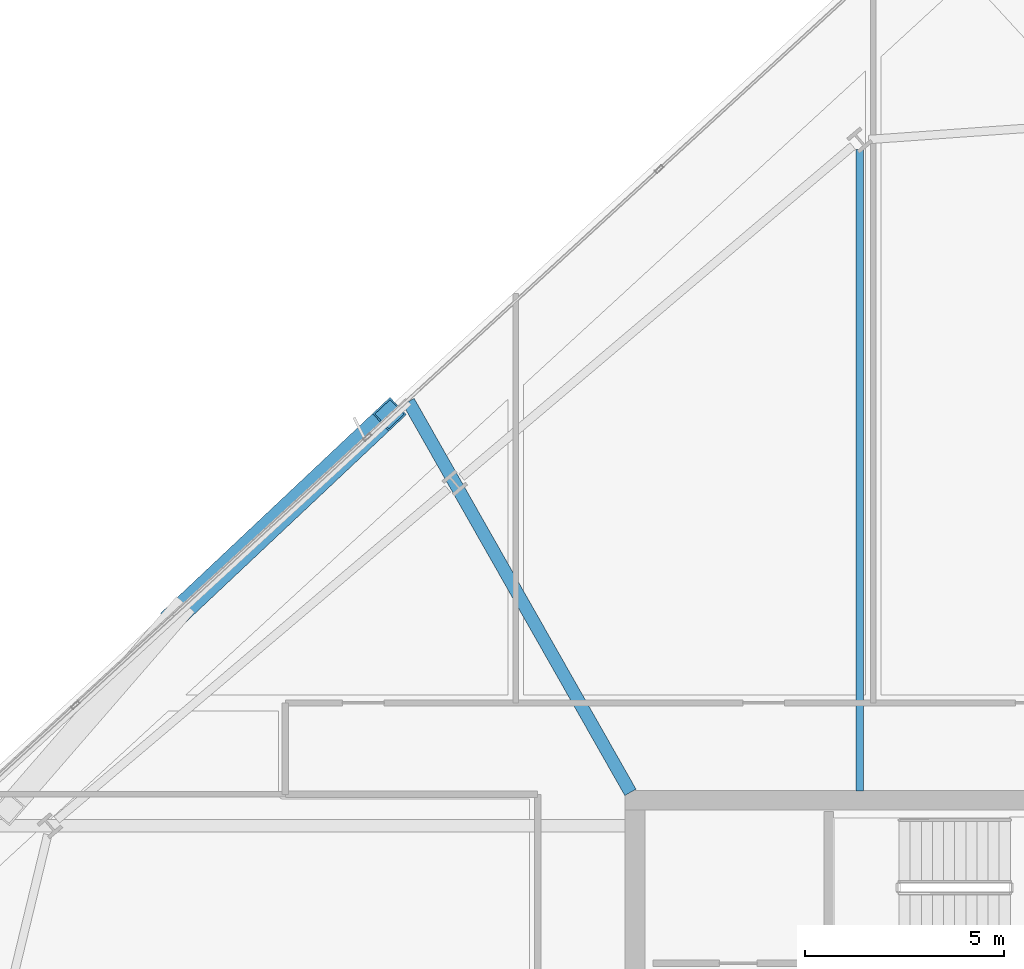
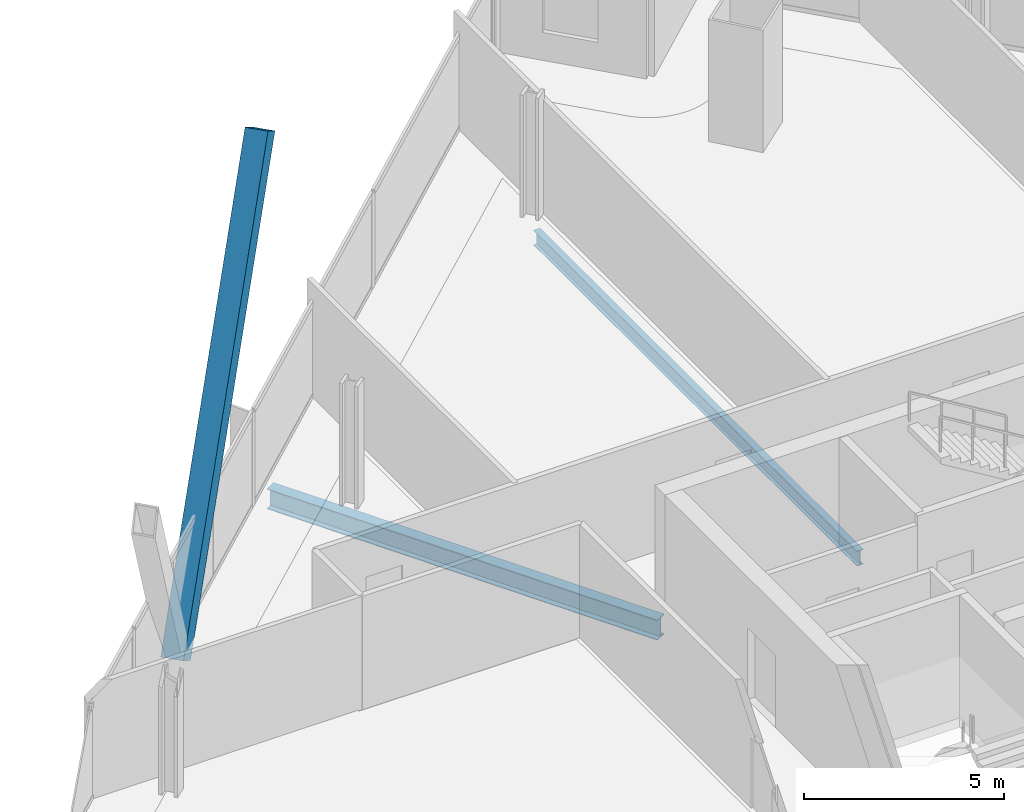
# One storey, part 16 of 32: 2 beams, 1 member.
"""IFC4 building model written with IfcOpenShell, lengths in metres."""

import ifcopenshell
import ifcopenshell.guid

model = None  # the IFC model being written
_history = None  # IfcOwnerHistory: only IFC2X3 demands one
_inside = {}  # id of a spatial element -> (the spatial element, [elements in it])
_under = {}  # id of a project, library or spatial element -> (it, [spatial elements below it])
_declared = {}  # id of a project -> (the project, [libraries it declares])
_typed = {}  # id of a type object -> (the type object, [elements of that type])
_made_of = {}  # id of a material, layer set ... -> (it, [elements and type objects made of it])


def new_model(schema):
    """Start an empty IFC model of exactly this schema.

    Asked for "IFC4X3", IfcOpenShell would pick the latest addendum, in which some entities
    have other attributes; the version numbers below select the first issue.
    IFC2X3 requires an IfcOwnerHistory on every rooted entity: one is made here for all.
    """
    global model, _history
    if schema == "IFC4X3":
        model = ifcopenshell.file(schema_version=(4, 3, 0, 0))
    else:
        model = ifcopenshell.file(schema=schema)
    _inside.clear()
    _under.clear()
    _declared.clear()
    _typed.clear()
    _made_of.clear()
    _history = None
    if model.schema == "IFC2X3":
        org = make("IfcOrganization", Name="unknown")
        user = make(
            "IfcPersonAndOrganization",
            ThePerson=make("IfcPerson", FamilyName="unknown"),
            TheOrganization=org,
        )
        app = make(
            "IfcApplication",
            ApplicationDeveloper=org,
            Version="unknown",
            ApplicationFullName="unknown",
            ApplicationIdentifier="unknown",
        )
        _history = make(
            "IfcOwnerHistory",
            OwningUser=user,
            OwningApplication=app,
            ChangeAction="ADDED",
            CreationDate=0,
        )
    return model


def make(cls, **values):
    """One entity of the class cls with the attributes given. An attribute that is None is left unset."""
    return model.create_entity(
        cls, **{name: value for name, value in values.items() if value is not None}
    )


def rooted(cls, **values):
    """An entity with a GlobalId (a new one), such as an element, a storey or a relation."""
    return make(cls, GlobalId=ifcopenshell.guid.new(), OwnerHistory=_history, **values)


def si_unit(unit_type, name, prefix=None):
    """IfcSIUnit, for example si_unit("LENGTHUNIT", "METRE", prefix="MILLI")."""
    return make("IfcSIUnit", UnitType=unit_type, Prefix=prefix, Name=name)


def assignment(units):
    """IfcUnitAssignment: the units of a project."""
    return None if units is None else make("IfcUnitAssignment", Units=units)


def point(xyz):
    """IfcCartesianPoint."""
    return None if xyz is None else make("IfcCartesianPoint", Coordinates=xyz)


def direction(xyz):
    """IfcDirection."""
    return None if xyz is None else make("IfcDirection", DirectionRatios=xyz)


def frame(location, z_axis=None, x_axis=None):
    """IfcAxis2Placement3D, a coordinate frame: its origin and axes. An axis left out is left unset."""
    return make(
        "IfcAxis2Placement3D",
        Location=point(location),
        Axis=direction(z_axis),
        RefDirection=direction(x_axis),
    )


def frame_2d(location, x_axis=None):
    """IfcAxis2Placement2D, a coordinate frame in the plane: its origin and x axis."""
    return make(
        "IfcAxis2Placement2D", Location=point(location), RefDirection=direction(x_axis)
    )


def origin():
    """The frame at (0, 0, 0) with its axes left unset."""
    return frame((0.0, 0.0, 0.0))


def origin_2d():
    """The frame at (0, 0) in the plane with its x axis left unset."""
    return frame_2d((0.0, 0.0))


def place(relative_to, where):
    """IfcLocalPlacement: puts the frame where relative to a parent placement (None: the world)."""
    return make(
        "IfcLocalPlacement", PlacementRelTo=relative_to, RelativePlacement=where
    )


def context(
    kind, dimensions, precision=None, world=None, true_north=None, identifier=None
):
    """IfcGeometricRepresentationContext, for example the 3D "Model" context."""
    return make(
        "IfcGeometricRepresentationContext",
        ContextIdentifier=identifier,
        ContextType=kind,
        CoordinateSpaceDimension=dimensions,
        Precision=precision,
        WorldCoordinateSystem=world,
        TrueNorth=true_north,
    )


def subcontext(parent, identifier, kind, view, scale=None):
    """IfcGeometricRepresentationSubContext, for example "Body" below "Model"."""
    return make(
        "IfcGeometricRepresentationSubContext",
        ContextIdentifier=identifier,
        ContextType=kind,
        ParentContext=parent,
        TargetScale=scale,
        TargetView=view,
    )


def project(units=None, contexts=None):
    """IfcProject with its units and contexts."""
    return rooted(
        "IfcProject",
        Name="project",
        RepresentationContexts=contexts,
        UnitsInContext=assignment(units),
    )


def spatial(cls, under=None, at=None, **own):
    """A site, building, storey or space (cls), placed at a placement, below another one or the project."""
    s = rooted(cls, ObjectPlacement=at, **own)
    if under is not None:
        _under.setdefault(under.id(), (under, []))[1].append(s)
    return s


def profile(cls, at=None, kind="AREA", **sizes):
    """A parametric profile (cls). Its sizes go by their IFC names, for example OverallWidth=200.0."""
    return make(cls, ProfileType=kind, Position=at, **sizes)


def hollow_rectangle(**sizes):
    """IfcRectangleHollowProfileDef."""
    return profile("IfcRectangleHollowProfileDef", **sizes)


def i_section(**sizes):
    """IfcIShapeProfileDef."""
    return profile("IfcIShapeProfileDef", **sizes)


def extrude(swept, where, along, depth):
    """IfcExtrudedAreaSolid: the profile swept, set in the frame where, extruded along a direction by depth."""
    return make(
        "IfcExtrudedAreaSolid",
        SweptArea=swept,
        Position=where,
        ExtrudedDirection=direction(along),
        Depth=depth,
    )


def shape(context_of_items, identifier, shape_type, items):
    """IfcShapeRepresentation: the items that make up one representation, for example the "Body"."""
    return make(
        "IfcShapeRepresentation",
        ContextOfItems=context_of_items,
        RepresentationIdentifier=identifier,
        RepresentationType=shape_type,
        Items=items,
    )


def material(Name=None, Category=None):
    """IfcMaterial."""
    return make("IfcMaterial", Name=Name, Category=Category)


def material_profile(
    of_material, cross_section, Name=None, Category=None, Priority=None
):
    """IfcMaterialProfile: a cross section and its material."""
    return make(
        "IfcMaterialProfile",
        Name=Name,
        Material=of_material,
        Profile=cross_section,
        Priority=Priority,
        Category=Category,
    )


def profile_set(profiles, Name=None, composite=None):
    """IfcMaterialProfileSet."""
    return make(
        "IfcMaterialProfileSet",
        Name=Name,
        MaterialProfiles=profiles,
        CompositeProfile=composite,
    )


def made_of(thing, what):
    """Note that an element or type object is made of a material, layer set ...; save() writes the relation."""
    if what is not None:
        _made_of.setdefault(what.id(), (what, []))[1].append(thing)
    return thing


def type_object(cls, material=None, **own):
    """A type object (cls), such as IfcWallType, which elements share."""
    return made_of(rooted(cls, **own), material)


def element(
    cls,
    number,
    at=None,
    inside=None,
    cuts=None,
    type_object=None,
    material=None,
    context=None,
    identifier="Body",
    shape_type=None,
    held_by="IfcProductDefinitionShape",
    body=None,
    shapes=None,
    **own,
):
    """One element of the class cls, such as IfcWall. Its Tag is "e" and its number.

    at: its placement. inside: the storey or other place that contains it. cuts: it is an
    opening in that element (IfcRelVoidsElement). A single representation is given by context,
    identifier, shape_type and body (its items); several are given by shapes. held_by: the class
    of the entity that holds the representations. save() writes the other relations.
    """
    e = rooted(cls, Tag="e%d" % number, ObjectPlacement=at, **own)
    if body is not None:
        shapes = [shape(context, identifier, shape_type, body)]
    if shapes is not None:
        e.Representation = make(held_by, Representations=shapes)
    if inside is not None:
        _inside.setdefault(inside.id(), (inside, []))[1].append(e)
    if cuts is not None:
        rooted(
            "IfcRelVoidsElement", RelatingBuildingElement=cuts, RelatedOpeningElement=e
        )
    if type_object is not None:
        _typed.setdefault(type_object.id(), (type_object, []))[1].append(e)
    return made_of(e, material)


def aggregate(whole, parts):
    """IfcRelAggregates: a whole, such as a stair, and the parts it consists of."""
    return rooted("IfcRelAggregates", RelatingObject=whole, RelatedObjects=parts)


def save(model, path):
    """Write the relations noted so far, then the file.

    IfcRelAggregates (storeys below a building ...), IfcRelContainedInSpatialStructure (elements
    in a storey), IfcRelDefinesByType, IfcRelAssociatesMaterial and IfcRelDeclares: one each for
    every whole, place, type object, material and project.
    """
    for whole, parts in _under.values():
        aggregate(whole, parts)
    for where, things in _inside.values():
        rooted(
            "IfcRelContainedInSpatialStructure",
            RelatedElements=things,
            RelatingStructure=where,
        )
    for kind, things in _typed.values():
        rooted("IfcRelDefinesByType", RelatedObjects=things, RelatingType=kind)
    for what, things in _made_of.values():
        rooted("IfcRelAssociatesMaterial", RelatedObjects=things, RelatingMaterial=what)
    for by, libraries in _declared.values():
        rooted("IfcRelDeclares", RelatingContext=by, RelatedDefinitions=libraries)
    model.write(path)


model = new_model("IFC4")

# Units and contexts
model_context = context("Model", 3, precision=1e-05, world=origin(), true_north=direction((0.0, 1.0)))
body_context = subcontext(model_context, "Body", "Model", "MODEL_VIEW")
ifc_project = project(units=[si_unit("LENGTHUNIT", "METRE"), si_unit("AREAUNIT", "SQUARE_METRE"), si_unit("VOLUMEUNIT", "CUBIC_METRE"), si_unit("PLANEANGLEUNIT", "RADIAN"), si_unit("MASSUNIT", "GRAM", prefix="KILO")], contexts=[model_context])

# Site, building, storey
site_placement = place(None, origin())
site = spatial("IfcSite", under=ifc_project, at=site_placement, CompositionType="ELEMENT")
building_placement = place(site_placement, origin())
building = spatial("IfcBuilding", under=site, at=building_placement, Name="Haldenkirk Collegiate Tower", CompositionType="ELEMENT")
storey_placement = place(building_placement, frame((0.0, 0.0, 170.699951171875)))
storey = spatial("IfcBuildingStorey", under=building, at=storey_placement, Name="L42", CompositionType="ELEMENT", Elevation=170.699951171875)

# Beams
ifc_material_1 = material(Name="Steel ASTM A992 Grade 50", Category="steel")
ifc_material_profile_1 = material_profile(ifc_material_1, i_section(OverallWidth=0.324951171875, OverallDepth=0.615966796875, WebThickness=0.013916015625, FlangeThickness=0.021484375, at=origin_2d()), Name="W24X117")
ifc_profile_set_1 = profile_set([ifc_material_profile_1], Name="Steel ASTM A992 Grade 50")
beam_type_1 = type_object("IfcBeamType", Name="BM-GIRDER-W24X117", PredefinedType="BEAM", material=ifc_profile_set_1)
beam_1_placement = place(storey_placement, frame((21.300048828125, 44.039306640625, -0.597900390625), z_axis=(0.493734310921, -0.86961280477, 0.0), x_axis=(0.86961280477, 0.493734310921, 0.0)))
element("IfcBeam", 1, at=beam_1_placement, inside=storey, type_object=beam_type_1, Name="L42 primary floor girder 12", PredefinedType="BEAM", context=body_context, shape_type="SweptSolid", body=[
    extrude(i_section(OverallWidth=0.324951171875, OverallDepth=0.615966796875, WebThickness=0.013916015625, FlangeThickness=0.021484375, at=origin_2d()), origin(), (0.0, 0.0, 1.0), 11.314697265625),
])
ifc_material_profile_2 = material_profile(ifc_material_1, i_section(OverallWidth=0.18994140625, OverallDepth=0.45703125, WebThickness=0.009033203125, FlangeThickness=0.014404296875, at=origin_2d()), Name="W18X50")
ifc_profile_set_2 = profile_set([ifc_material_profile_2], Name="Steel ASTM A992 Grade 50")
beam_type_2 = type_object("IfcBeamType", Name="BM-JOIST-W18X50", PredefinedType="JOIST", material=ifc_profile_set_2)
beam_2_placement = place(storey_placement, frame((32.657470703125, 50.390380859375, -0.5185546875), z_axis=(0.0, -1.0, 0.0), x_axis=(1.0, 0.0, 0.0)))
element("IfcBeam", 2, at=beam_2_placement, inside=storey, type_object=beam_type_2, Name="L42 composite floor joist 11", PredefinedType="JOIST", context=body_context, shape_type="SweptSolid", body=[
    extrude(i_section(OverallWidth=0.18994140625, OverallDepth=0.45703125, WebThickness=0.009033203125, FlangeThickness=0.014404296875, at=origin_2d()), origin(), (0.0, 0.0, 1.0), 16.160400390625),
])

# Member
ifc_material_2 = material(Name="Steel ASTM A572 Grade 50", Category="steel")
ifc_material_profile_3 = material_profile(ifc_material_2, hollow_rectangle(XDim=0.60009765625, YDim=0.719970703125, WallThickness=0.044921875, at=origin_2d()), Name="BOX720X600X45")
ifc_profile_set_3 = profile_set([ifc_material_profile_3], Name="Steel ASTM A572 Grade 50")
member_type = type_object("IfcMemberType", Name="MBR-MEGABRACE-BOX720X600X45", PredefinedType="BRACE", material=ifc_profile_set_3)
member_placement = place(storey_placement, frame((15.48291015625, 38.69970703125, -0.300048828125), z_axis=(0.397462074299, 0.373985680561, 0.837949049901), x_axis=(-0.685271151158, 0.728288026396, 0.0)))
element("IfcMember", 3, at=member_placement, inside=storey, type_object=member_type, Name="Perimeter Mega Brace Z3 L42-L44 NL", PredefinedType="BRACE", context=body_context, shape_type="SweptSolid", body=[
    extrude(hollow_rectangle(XDim=0.60009765625, YDim=0.719970703125, WallThickness=0.044921875, at=origin_2d()), origin(), (0.0, 0.0, 1.0), 13.425537109375),
])

save(model, "model.ifc")
